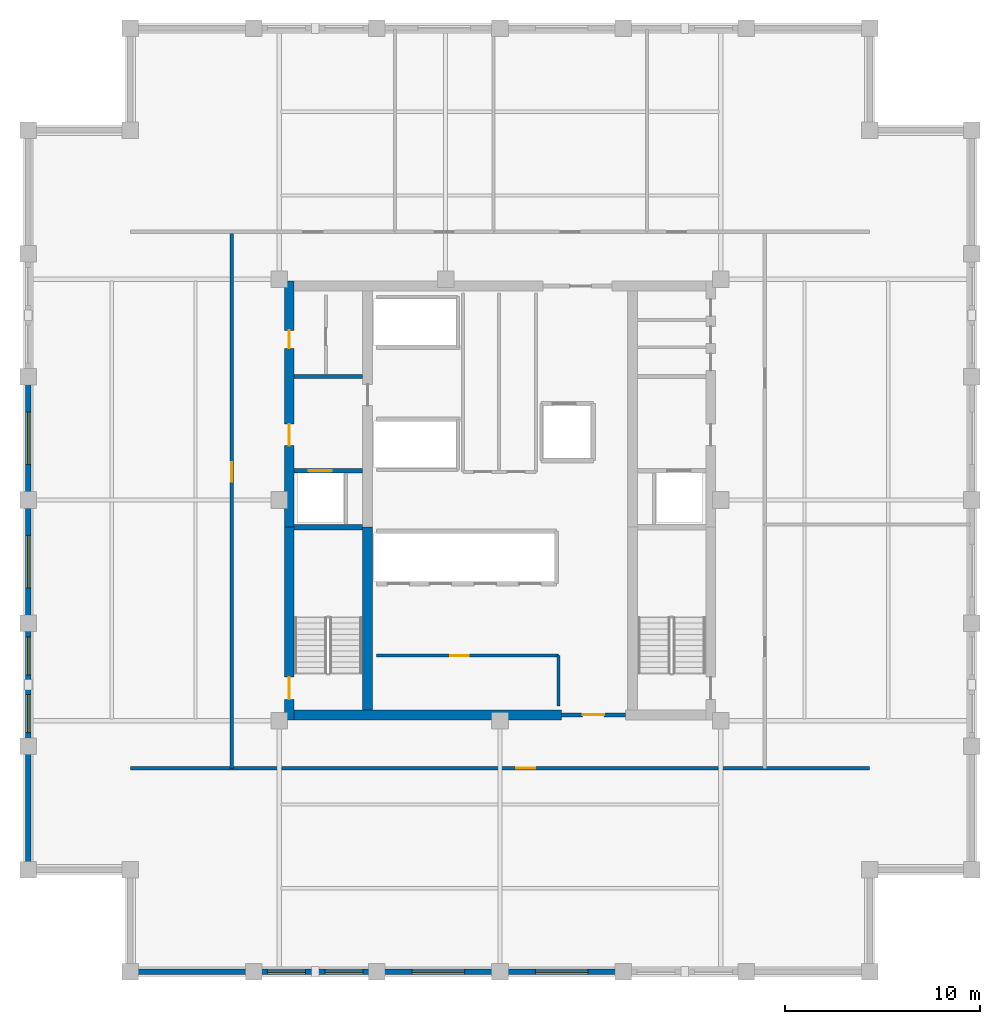
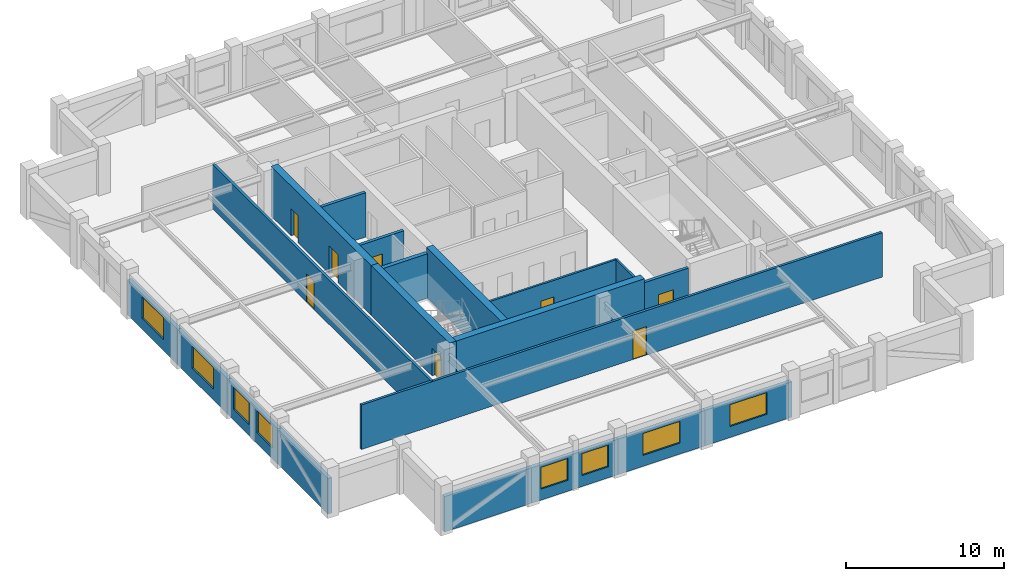
# One storey, part 2 of 6: 20 walls, 8 doors, 8 windows, 16 openings.
"""IFC4 building model written with IfcOpenShell, lengths in metres."""

from ifc_helpers import new_model, si_unit, direction, frame, frame_2d, origin, place, context, subcontext, project, spatial, rectangle, extrude, material, layer, layer_set, type_object, element, fill, save


model = new_model("IFC4")

# Units and contexts
model_context = context("Model", 3, precision=1e-05, world=origin(), true_north=direction((0.0, 1.0)))
body_context = subcontext(model_context, "Body", "Model", "MODEL_VIEW")
ifc_project = project(units=[si_unit("LENGTHUNIT", "METRE"), si_unit("AREAUNIT", "SQUARE_METRE"), si_unit("VOLUMEUNIT", "CUBIC_METRE"), si_unit("PLANEANGLEUNIT", "RADIAN"), si_unit("MASSUNIT", "GRAM", prefix="KILO")], contexts=[model_context])

# Site, building, storey
site_placement = place(None, origin())
site = spatial("IfcSite", under=ifc_project, at=site_placement, CompositionType="ELEMENT")
building_placement = place(site_placement, origin())
building = spatial("IfcBuilding", under=site, at=building_placement, Name="Nhamokura Convention Tower", CompositionType="ELEMENT")
storey_placement = place(building_placement, frame((0.0, 0.0, 248.5)))
storey = spatial("IfcBuildingStorey", under=building, at=storey_placement, Name="L61", CompositionType="ELEMENT", Elevation=248.5)

# Wall
ifc_material_1 = material(Name="Bronze-pigmented precast concrete C45/55", Category="concrete")
ifc_layer_1 = layer(ifc_material_1, 0.280029296875)
ifc_layer_set_1 = layer_set([ifc_layer_1], Name="BronzePrecastSpandrel_280")
wall_type_1 = type_object("IfcWallType", Name="BronzePrecastSpandrel_280", PredefinedType="USERDEFINED", material=ifc_layer_set_1)
wall_1_placement = place(storey_placement, frame((19.333251953125, 7.75, 0.0), z_axis=(0.0, 0.0, 1.0), x_axis=(-1.0, 0.0, 0.0)))
element("IfcWall", 1, at=wall_1_placement, inside=storey, type_object=wall_type_1, Name="L61 Braced-Bay Precast Wall SOUTH 0", ObjectType="SPANDREL_WALL", PredefinedType="USERDEFINED", context=body_context, shape_type="SweptSolid", body=[
    extrude(rectangle(XDim=6.333251953125, YDim=0.280029296875, at=frame_2d((3.16650390625, 0.0))), origin(), (0.0, 0.0, 1.0), 2.72998046875),
])

# Wall, openings, windows
wall_2_placement = place(storey_placement, frame((25.666748046875, 7.75, 0.0), z_axis=(0.0, 0.0, 1.0), x_axis=(-1.0, 0.0, 0.0)))
wall_2 = element("IfcWall", 2, at=wall_2_placement, inside=storey, type_object=wall_type_1, Name="L61 Masonry-Frame Wall SOUTH 1", ObjectType="SPANDREL_WALL", PredefinedType="USERDEFINED", context=body_context, shape_type="SweptSolid", body=[
    extrude(rectangle(XDim=6.33349609375, YDim=0.280029296875, at=frame_2d((3.166748046875, 0.0))), origin(), (0.0, 0.0, 1.0), 2.72998046875),
])
opening_1_placement = place(wall_2_placement, frame((0.708251953125, 0.0, 0.85009765625)))
opening_1 = element("IfcOpeningElement", 3, at=opening_1_placement, cuts=wall_2, Name="Opening W-08", PredefinedType="OPENING", context=body_context, shape_type="SweptSolid", body=[
    extrude(rectangle(XDim=1.949951171875, YDim=1.679931640625, at=frame_2d((0.97509765625, 0.83984375))), frame((0.0, 0.14990234375, 0.0), z_axis=(0.0, -1.0, 0.0), x_axis=(1.0, 0.0, 0.0)), (0.0, 0.0, 1.0), 0.300048828125),
])
opening_2_placement = place(wall_2_placement, frame((3.675048828125, 0.0, 0.85009765625)))
opening_2 = element("IfcOpeningElement", 4, at=opening_2_placement, cuts=wall_2, Name="Opening W-08", PredefinedType="OPENING", context=body_context, shape_type="SweptSolid", body=[
    extrude(rectangle(XDim=1.949951171875, YDim=1.679931640625, at=frame_2d((0.97509765625, 0.83984375))), frame((0.0, 0.14990234375, 0.0), z_axis=(0.0, -1.0, 0.0), x_axis=(1.0, 0.0, 0.0)), (0.0, 0.0, 1.0), 0.300048828125),
])
ifc_material_2 = material(Name="Solar-control bronze low-E double glass", Category="glass")
window_type_1 = type_object("IfcWindowType", Name="OfficeModuleWindow_Z3_1950", PartitioningType="SINGLE_PANEL", PredefinedType="WINDOW", material=ifc_material_2)
window_1_placement = place(opening_1_placement, origin())
window_1 = element("IfcWindow", 5, at=window_1_placement, inside=storey, type_object=window_type_1, Name="L61 Facade Window SOUTH 1-1", OverallHeight=1.679931640625, OverallWidth=1.949951171875, PartitioningType="SINGLE_PANEL", PredefinedType="WINDOW", context=body_context, shape_type="SweptSolid", body=[
    extrude(rectangle(XDim=1.949951171875, YDim=1.679931640625, at=frame_2d((0.97509765625, 0.83984375))), frame((0.0, 0.030029296875, 0.0), z_axis=(0.0, -1.0, 0.0), x_axis=(1.0, 0.0, 0.0)), (0.0, 0.0, 1.0), 0.06005859375),
])
fill(opening_1, window_1)
window_2_placement = place(opening_2_placement, origin())
window_2 = element("IfcWindow", 6, at=window_2_placement, inside=storey, type_object=window_type_1, Name="L61 Facade Window SOUTH 1-2", OverallHeight=1.679931640625, OverallWidth=1.949951171875, PartitioningType="SINGLE_PANEL", PredefinedType="WINDOW", context=body_context, shape_type="SweptSolid", body=[
    extrude(rectangle(XDim=1.949951171875, YDim=1.679931640625, at=frame_2d((0.97509765625, 0.83984375))), frame((0.0, 0.030029296875, 0.0), z_axis=(0.0, -1.0, 0.0), x_axis=(1.0, 0.0, 0.0)), (0.0, 0.0, 1.0), 0.06005859375),
])
fill(opening_2, window_2)

# Wall, opening, window
wall_3_placement = place(storey_placement, frame((32.0, 7.75, 0.0), z_axis=(0.0, 0.0, 1.0), x_axis=(-1.0, 0.0, 0.0)))
wall_3 = element("IfcWall", 7, at=wall_3_placement, inside=storey, type_object=wall_type_1, Name="L61 Masonry-Frame Wall SOUTH 2", ObjectType="SPANDREL_WALL", PredefinedType="USERDEFINED", context=body_context, shape_type="SweptSolid", body=[
    extrude(rectangle(XDim=6.333251953125, YDim=0.280029296875, at=frame_2d((3.16650390625, 0.0))), origin(), (0.0, 0.0, 1.0), 2.72998046875),
])
opening_3_placement = place(wall_3_placement, frame((1.816650390625, 0.0, 0.85009765625)))
opening_3 = element("IfcOpeningElement", 8, at=opening_3_placement, cuts=wall_3, Name="Opening W-07", PredefinedType="OPENING", context=body_context, shape_type="SweptSolid", body=[
    extrude(rectangle(XDim=2.699951171875, YDim=1.679931640625, at=frame_2d((1.35009765625, 0.83984375))), frame((0.0, 0.14990234375, 0.0), z_axis=(0.0, -1.0, 0.0), x_axis=(1.0, 0.0, 0.0)), (0.0, 0.0, 1.0), 0.300048828125),
])
ifc_material_3 = material(Name="Solar-control bronze low-E double glass", Category="glass")
window_type_2 = type_object("IfcWindowType", Name="OfficeModuleWindow_Z3_2700", PartitioningType="DOUBLE_PANEL_VERTICAL", PredefinedType="WINDOW", material=ifc_material_3)
window_3_placement = place(opening_3_placement, origin())
window_3 = element("IfcWindow", 9, at=window_3_placement, inside=storey, type_object=window_type_2, Name="L61 Facade Window SOUTH 2", OverallHeight=1.679931640625, OverallWidth=2.699951171875, PartitioningType="SINGLE_PANEL", PredefinedType="WINDOW", context=body_context, shape_type="SweptSolid", body=[
    extrude(rectangle(XDim=2.699951171875, YDim=1.679931640625, at=frame_2d((1.35009765625, 0.83984375))), frame((0.0, 0.030029296875, 0.0), z_axis=(0.0, -1.0, 0.0), x_axis=(1.0, 0.0, 0.0)), (0.0, 0.0, 1.0), 0.06005859375),
])
fill(opening_3, window_3)

wall_4_placement = place(storey_placement, frame((38.333251953125, 7.75, 0.0), z_axis=(0.0, 0.0, 1.0), x_axis=(-1.0, 0.0, 0.0)))
wall_4 = element("IfcWall", 10, at=wall_4_placement, inside=storey, type_object=wall_type_1, Name="L61 Masonry-Frame Wall SOUTH 3", ObjectType="SPANDREL_WALL", PredefinedType="USERDEFINED", context=body_context, shape_type="SweptSolid", body=[
    extrude(rectangle(XDim=6.333251953125, YDim=0.280029296875, at=frame_2d((3.16650390625, 0.0))), origin(), (0.0, 0.0, 1.0), 2.72998046875),
])
opening_4_placement = place(wall_4_placement, frame((1.816650390625, 0.0, 0.85009765625)))
opening_4 = element("IfcOpeningElement", 11, at=opening_4_placement, cuts=wall_4, Name="Opening W-07", PredefinedType="OPENING", context=body_context, shape_type="SweptSolid", body=[
    extrude(rectangle(XDim=2.699951171875, YDim=1.679931640625, at=frame_2d((1.35009765625, 0.83984375))), frame((0.0, 0.14990234375, 0.0), z_axis=(0.0, -1.0, 0.0), x_axis=(1.0, 0.0, 0.0)), (0.0, 0.0, 1.0), 0.300048828125),
])
window_4_placement = place(opening_4_placement, origin())
window_4 = element("IfcWindow", 12, at=window_4_placement, inside=storey, type_object=window_type_2, Name="L61 Facade Window SOUTH 3", OverallHeight=1.679931640625, OverallWidth=2.699951171875, PartitioningType="SINGLE_PANEL", PredefinedType="WINDOW", context=body_context, shape_type="SweptSolid", body=[
    extrude(rectangle(XDim=2.699951171875, YDim=1.679931640625, at=frame_2d((1.35009765625, 0.83984375))), frame((0.0, 0.030029296875, 0.0), z_axis=(0.0, -1.0, 0.0), x_axis=(1.0, 0.0, 0.0)), (0.0, 0.0, 1.0), 0.06005859375),
])
fill(opening_4, window_4)

# Wall
wall_5_placement = place(storey_placement, frame((7.75, 13.0, 0.0), z_axis=(0.0, 0.0, 1.0), x_axis=(0.0, 1.0, 0.0)))
element("IfcWall", 13, at=wall_5_placement, inside=storey, type_object=wall_type_1, Name="L61 Braced-Bay Precast Wall WEST 0", ObjectType="SPANDREL_WALL", PredefinedType="USERDEFINED", context=body_context, shape_type="SweptSolid", body=[
    extrude(rectangle(XDim=6.333251953125, YDim=0.280029296875, at=frame_2d((3.16650390625, 0.0))), origin(), (0.0, 0.0, 1.0), 2.72998046875),
])

# Wall, openings, windows
wall_6_placement = place(storey_placement, frame((7.75, 19.333251953125, 0.0), z_axis=(0.0, 0.0, 1.0), x_axis=(0.0, 1.0, 0.0)))
wall_6 = element("IfcWall", 14, at=wall_6_placement, inside=storey, type_object=wall_type_1, Name="L61 Masonry-Frame Wall WEST 1", ObjectType="SPANDREL_WALL", PredefinedType="USERDEFINED", context=body_context, shape_type="SweptSolid", body=[
    extrude(rectangle(XDim=6.33349609375, YDim=0.280029296875, at=frame_2d((3.166748046875, 0.0))), origin(), (0.0, 0.0, 1.0), 2.72998046875),
])
opening_5_placement = place(wall_6_placement, frame((0.708251953125, 0.0, 0.85009765625)))
opening_5 = element("IfcOpeningElement", 15, at=opening_5_placement, cuts=wall_6, Name="Opening W-08", PredefinedType="OPENING", context=body_context, shape_type="SweptSolid", body=[
    extrude(rectangle(XDim=1.949951171875, YDim=1.679931640625, at=frame_2d((0.97509765625, 0.83984375))), frame((0.0, 0.14990234375, 0.0), z_axis=(0.0, -1.0, 0.0), x_axis=(1.0, 0.0, 0.0)), (0.0, 0.0, 1.0), 0.300048828125),
])
opening_6_placement = place(wall_6_placement, frame((3.675048828125, 0.0, 0.85009765625)))
opening_6 = element("IfcOpeningElement", 16, at=opening_6_placement, cuts=wall_6, Name="Opening W-08", PredefinedType="OPENING", context=body_context, shape_type="SweptSolid", body=[
    extrude(rectangle(XDim=1.949951171875, YDim=1.679931640625, at=frame_2d((0.97509765625, 0.83984375))), frame((0.0, 0.14990234375, 0.0), z_axis=(0.0, -1.0, 0.0), x_axis=(1.0, 0.0, 0.0)), (0.0, 0.0, 1.0), 0.300048828125),
])
window_5_placement = place(opening_5_placement, origin())
window_5 = element("IfcWindow", 17, at=window_5_placement, inside=storey, type_object=window_type_1, Name="L61 Facade Window WEST 1-1", OverallHeight=1.679931640625, OverallWidth=1.949951171875, PartitioningType="SINGLE_PANEL", PredefinedType="WINDOW", context=body_context, shape_type="SweptSolid", body=[
    extrude(rectangle(XDim=1.949951171875, YDim=1.679931640625, at=frame_2d((0.97509765625, 0.83984375))), frame((0.0, 0.030029296875, 0.0), z_axis=(0.0, -1.0, 0.0), x_axis=(1.0, 0.0, 0.0)), (0.0, 0.0, 1.0), 0.06005859375),
])
fill(opening_5, window_5)
window_6_placement = place(opening_6_placement, origin())
window_6 = element("IfcWindow", 18, at=window_6_placement, inside=storey, type_object=window_type_1, Name="L61 Facade Window WEST 1-2", OverallHeight=1.679931640625, OverallWidth=1.949951171875, PartitioningType="SINGLE_PANEL", PredefinedType="WINDOW", context=body_context, shape_type="SweptSolid", body=[
    extrude(rectangle(XDim=1.949951171875, YDim=1.679931640625, at=frame_2d((0.97509765625, 0.83984375))), frame((0.0, 0.030029296875, 0.0), z_axis=(0.0, -1.0, 0.0), x_axis=(1.0, 0.0, 0.0)), (0.0, 0.0, 1.0), 0.06005859375),
])
fill(opening_6, window_6)

# Wall, opening, window
wall_7_placement = place(storey_placement, frame((7.75, 25.666748046875, 0.0), z_axis=(0.0, 0.0, 1.0), x_axis=(0.0, 1.0, 0.0)))
wall_7 = element("IfcWall", 19, at=wall_7_placement, inside=storey, type_object=wall_type_1, Name="L61 Masonry-Frame Wall WEST 2", ObjectType="SPANDREL_WALL", PredefinedType="USERDEFINED", context=body_context, shape_type="SweptSolid", body=[
    extrude(rectangle(XDim=6.333251953125, YDim=0.280029296875, at=frame_2d((3.16650390625, 0.0))), origin(), (0.0, 0.0, 1.0), 2.72998046875),
])
opening_7_placement = place(wall_7_placement, frame((1.816650390625, 0.0, 0.85009765625)))
opening_7 = element("IfcOpeningElement", 20, at=opening_7_placement, cuts=wall_7, Name="Opening W-07", PredefinedType="OPENING", context=body_context, shape_type="SweptSolid", body=[
    extrude(rectangle(XDim=2.699951171875, YDim=1.679931640625, at=frame_2d((1.35009765625, 0.83984375))), frame((0.0, 0.14990234375, 0.0), z_axis=(0.0, -1.0, 0.0), x_axis=(1.0, 0.0, 0.0)), (0.0, 0.0, 1.0), 0.300048828125),
])
window_7_placement = place(opening_7_placement, origin())
window_7 = element("IfcWindow", 21, at=window_7_placement, inside=storey, type_object=window_type_2, Name="L61 Facade Window WEST 2", OverallHeight=1.679931640625, OverallWidth=2.699951171875, PartitioningType="SINGLE_PANEL", PredefinedType="WINDOW", context=body_context, shape_type="SweptSolid", body=[
    extrude(rectangle(XDim=2.699951171875, YDim=1.679931640625, at=frame_2d((1.35009765625, 0.83984375))), frame((0.0, 0.030029296875, 0.0), z_axis=(0.0, -1.0, 0.0), x_axis=(1.0, 0.0, 0.0)), (0.0, 0.0, 1.0), 0.06005859375),
])
fill(opening_7, window_7)

wall_8_placement = place(storey_placement, frame((7.75, 32.0, 0.0), z_axis=(0.0, 0.0, 1.0), x_axis=(0.0, 1.0, 0.0)))
wall_8 = element("IfcWall", 22, at=wall_8_placement, inside=storey, type_object=wall_type_1, Name="L61 Masonry-Frame Wall WEST 3", ObjectType="SPANDREL_WALL", PredefinedType="USERDEFINED", context=body_context, shape_type="SweptSolid", body=[
    extrude(rectangle(XDim=6.333251953125, YDim=0.280029296875, at=frame_2d((3.16650390625, 0.0))), origin(), (0.0, 0.0, 1.0), 2.72998046875),
])
opening_8_placement = place(wall_8_placement, frame((1.816650390625, 0.0, 0.85009765625)))
opening_8 = element("IfcOpeningElement", 23, at=opening_8_placement, cuts=wall_8, Name="Opening W-07", PredefinedType="OPENING", context=body_context, shape_type="SweptSolid", body=[
    extrude(rectangle(XDim=2.699951171875, YDim=1.679931640625, at=frame_2d((1.35009765625, 0.83984375))), frame((0.0, 0.14990234375, 0.0), z_axis=(0.0, -1.0, 0.0), x_axis=(1.0, 0.0, 0.0)), (0.0, 0.0, 1.0), 0.300048828125),
])
window_8_placement = place(opening_8_placement, origin())
window_8 = element("IfcWindow", 24, at=window_8_placement, inside=storey, type_object=window_type_2, Name="L61 Facade Window WEST 3", OverallHeight=1.679931640625, OverallWidth=2.699951171875, PartitioningType="SINGLE_PANEL", PredefinedType="WINDOW", context=body_context, shape_type="SweptSolid", body=[
    extrude(rectangle(XDim=2.699951171875, YDim=1.679931640625, at=frame_2d((1.35009765625, 0.83984375))), frame((0.0, 0.030029296875, 0.0), z_axis=(0.0, -1.0, 0.0), x_axis=(1.0, 0.0, 0.0)), (0.0, 0.0, 1.0), 0.06005859375),
])
fill(opening_8, window_8)

# Wall, opening, door
ifc_material_4 = material(Name="Concrete C60/75", Category="concrete")
ifc_layer_2 = layer(ifc_material_4, 0.5)
ifc_layer_set_2 = layer_set([ifc_layer_2], Name="CoreShearWall_500")
wall_type_2 = type_object("IfcWallType", Name="CoreShearWall_500", PredefinedType="SHEAR", material=ifc_layer_set_2)
wall_9_placement = place(storey_placement, frame((21.159912109375, 20.699951171875, 0.0), z_axis=(0.0, 0.0, 1.0), x_axis=(0.0, 1.0, 0.0)))
wall_9 = element("IfcWall", 25, at=wall_9_placement, inside=storey, type_object=wall_type_2, Name="L61 Core Shear Wall CW-WS", PredefinedType="SHEAR", context=body_context, shape_type="SweptSolid", body=[
    extrude(rectangle(XDim=9.900146484375, YDim=0.5, at=frame_2d((4.9501953125, 0.0))), origin(), (0.0, 0.0, 1.0), 3.85009765625),
])
opening_9_placement = place(wall_9_placement, frame((1.050048828125, 0.0, 0.0)))
opening_9 = element("IfcOpeningElement", 26, at=opening_9_placement, cuts=wall_9, Name="Opening D-04", PredefinedType="OPENING", context=body_context, shape_type="SweptSolid", body=[
    extrude(rectangle(XDim=1.14990234375, YDim=2.14990234375, at=frame_2d((0.574951171875, 1.074951171875))), frame((0.0, 0.260009765625, 0.0), z_axis=(0.0, -1.0, 0.0), x_axis=(1.0, 0.0, 0.0)), (0.0, 0.0, 1.0), 0.52001953125),
])
ifc_material_5 = material(Name="Fire-rated steel door", Category="steel")
door_type_1 = type_object("IfcDoorType", Name="StairSmokeDoor_1150", OperationType="NOTDEFINED", PredefinedType="DOOR", material=ifc_material_5)
door_1_placement = place(opening_9_placement, origin())
door_1 = element("IfcDoor", 27, at=door_1_placement, inside=storey, type_object=door_type_1, Name="L61 Core Door INT-L61-D-ST01", OperationType="SINGLE_SWING_LEFT", OverallHeight=2.14990234375, OverallWidth=1.14990234375, PredefinedType="DOOR", context=body_context, shape_type="SweptSolid", body=[
    extrude(rectangle(XDim=1.14990234375, YDim=2.14990234375, at=frame_2d((0.574951171875, 1.074951171875))), frame((0.0, 0.02490234375, 0.0), z_axis=(0.0, -1.0, 0.0), x_axis=(1.0, 0.0, 0.0)), (0.0, 0.0, 1.0), 0.050048828125),
])
fill(opening_9, door_1)

# Wall, openings, doors
wall_10_placement = place(storey_placement, frame((21.159912109375, 30.60009765625, 0.0), z_axis=(0.0, 0.0, 1.0), x_axis=(0.0, 1.0, 0.0)))
wall_10 = element("IfcWall", 28, at=wall_10_placement, inside=storey, type_object=wall_type_2, Name="L61 Core Shear Wall CW-WN", PredefinedType="SHEAR", context=body_context, shape_type="SweptSolid", body=[
    extrude(rectangle(XDim=12.64990234375, YDim=0.5, at=frame_2d((6.324951171875, 0.0))), origin(), (0.0, 0.0, 1.0), 3.85009765625),
])
opening_10_placement = place(wall_10_placement, frame((4.199951171875, 0.0, 0.0)))
opening_10 = element("IfcOpeningElement", 29, at=opening_10_placement, cuts=wall_10, Name="Opening D-05", PredefinedType="OPENING", context=body_context, shape_type="SweptSolid", body=[
    extrude(rectangle(XDim=1.10009765625, YDim=2.14990234375, at=frame_2d((0.550048828125, 1.074951171875))), frame((0.0, 0.260009765625, 0.0), z_axis=(0.0, -1.0, 0.0), x_axis=(1.0, 0.0, 0.0)), (0.0, 0.0, 1.0), 0.52001953125),
])
opening_11_placement = place(wall_10_placement, frame((9.199951171875, 0.0, 0.0)))
opening_11 = element("IfcOpeningElement", 30, at=opening_11_placement, cuts=wall_10, Name="Opening D-10", PredefinedType="OPENING", context=body_context, shape_type="SweptSolid", body=[
    extrude(rectangle(XDim=0.919921875, YDim=2.10009765625, at=frame_2d((0.4599609375, 1.050048828125))), frame((0.0, 0.260009765625, 0.0), z_axis=(0.0, -1.0, 0.0), x_axis=(1.0, 0.0, 0.0)), (0.0, 0.0, 1.0), 0.52001953125),
])
ifc_material_6 = material(Name="Solid oak hardwood", Category="wood")
door_type_2 = type_object("IfcDoorType", Name="AccessibleWCDoor_920", OperationType="NOTDEFINED", PredefinedType="DOOR", material=ifc_material_6)
door_2_placement = place(opening_11_placement, origin())
door_2 = element("IfcDoor", 31, at=door_2_placement, inside=storey, type_object=door_type_2, Name="L61 Core Door INT-L61-D-AWCW", OperationType="SINGLE_SWING_RIGHT", OverallHeight=2.10009765625, OverallWidth=0.919921875, PredefinedType="DOOR", context=body_context, shape_type="SweptSolid", body=[
    extrude(rectangle(XDim=0.919921875, YDim=2.10009765625, at=frame_2d((0.4599609375, 1.050048828125))), frame((0.0, 0.02490234375, 0.0), z_axis=(0.0, -1.0, 0.0), x_axis=(1.0, 0.0, 0.0)), (0.0, 0.0, 1.0), 0.050048828125),
])
fill(opening_11, door_2)
ifc_material_7 = material(Name="Fire-rated steel door", Category="steel")
door_type_3 = type_object("IfcDoorType", Name="FireLobbyDoor_1100", OperationType="NOTDEFINED", PredefinedType="DOOR", material=ifc_material_7)
door_3_placement = place(opening_10_placement, origin())
door_3 = element("IfcDoor", 32, at=door_3_placement, inside=storey, type_object=door_type_3, Name="L61 Core Door INT-L61-D-FFLW", OperationType="SINGLE_SWING_RIGHT", OverallHeight=2.14990234375, OverallWidth=1.10009765625, PredefinedType="DOOR", context=body_context, shape_type="SweptSolid", body=[
    extrude(rectangle(XDim=1.10009765625, YDim=2.14990234375, at=frame_2d((0.550048828125, 1.074951171875))), frame((0.0, 0.02490234375, 0.0), z_axis=(0.0, -1.0, 0.0), x_axis=(1.0, 0.0, 0.0)), (0.0, 0.0, 1.0), 0.050048828125),
])
fill(opening_10, door_3)

# Walls
wall_11_placement = place(storey_placement, frame((21.409912109375, 20.949951171875, 0.0), z_axis=(0.0, 0.0, 1.0), x_axis=(1.0, 0.0, 0.0)))
element("IfcWall", 33, at=wall_11_placement, inside=storey, type_object=wall_type_2, Name="L61 Core Shear Wall CW-S1", PredefinedType="SHEAR", context=body_context, shape_type="SweptSolid", body=[
    extrude(rectangle(XDim=13.739990234375, YDim=0.5, at=frame_2d((6.8701171875, 0.0))), origin(), (0.0, 0.0, 1.0), 3.85009765625),
])
wall_12_placement = place(storey_placement, frame((25.18994140625, 21.199951171875, 0.0), z_axis=(0.0, 0.0, 1.0), x_axis=(0.0, 1.0, 0.0)))
element("IfcWall", 34, at=wall_12_placement, inside=storey, type_object=wall_type_2, Name="L61 Core Shear Wall CW-IWS", PredefinedType="SHEAR", context=body_context, shape_type="SweptSolid", body=[
    extrude(rectangle(XDim=9.400146484375, YDim=0.5, at=frame_2d((4.7001953125, 0.0))), origin(), (0.0, 0.0, 1.0), 3.85009765625),
])

# Wall, opening, door
ifc_material_8 = material(Name="Fire-rated gypsum and masonry partition", Category="masonry")
ifc_layer_3 = layer(ifc_material_8, 0.179931640625)
ifc_layer_set_3 = layer_set([ifc_layer_3], Name="CorridorRatedWall_180")
wall_type_3 = type_object("IfcWallType", Name="CorridorRatedWall_180", PredefinedType="STANDARD", material=ifc_layer_set_3)
wall_13_placement = place(storey_placement, frame((13.0, 18.199951171875, 0.0), z_axis=(0.0, 0.0, 1.0), x_axis=(1.0, 0.0, 0.0)))
wall_13 = element("IfcWall", 35, at=wall_13_placement, inside=storey, type_object=wall_type_3, Name="L61 Wall INT-L61-CW-S00", PredefinedType="STANDARD", context=body_context, shape_type="SweptSolid", body=[
    extrude(rectangle(XDim=38.0, YDim=0.179931640625, at=frame_2d((19.0, 0.0))), origin(), (0.0, 0.0, 1.0), 3.429931640625),
])
opening_12_placement = place(wall_13_placement, frame((19.824951171875, 0.0, 0.0)))
opening_12 = element("IfcOpeningElement", 36, at=opening_12_placement, cuts=wall_13, Name="Opening D-08", PredefinedType="OPENING", context=body_context, shape_type="SweptSolid", body=[
    extrude(rectangle(XDim=0.97998046875, YDim=2.199951171875, at=frame_2d((0.489990234375, 1.10009765625))), frame((0.0, 0.099853515625, 0.0), z_axis=(0.0, -1.0, 0.0), x_axis=(1.0, 0.0, 0.0)), (0.0, 0.0, 1.0), 0.199951171875),
])
ifc_material_9 = material(Name="Solid oak hardwood", Category="wood")
door_type_4 = type_object("IfcDoorType", Name="OfficeEntryDoor_980", OperationType="NOTDEFINED", PredefinedType="DOOR", material=ifc_material_9)
door_4_placement = place(opening_12_placement, origin())
door_4 = element("IfcDoor", 37, at=door_4_placement, inside=storey, type_object=door_type_4, Name="L61 Fitness Gym S01 Door", OperationType="SINGLE_SWING_LEFT", OverallHeight=2.199951171875, OverallWidth=0.97998046875, PredefinedType="DOOR", context=body_context, shape_type="SweptSolid", body=[
    extrude(rectangle(XDim=0.97998046875, YDim=2.199951171875, at=frame_2d((0.489990234375, 1.10009765625))), frame((0.0, 0.02490234375, 0.0), z_axis=(0.0, -1.0, 0.0), x_axis=(1.0, 0.0, 0.0)), (0.0, 0.0, 1.0), 0.050048828125),
])
fill(opening_12, door_4)

wall_14_placement = place(storey_placement, frame((18.199951171875, 18.199951171875, 0.0), z_axis=(0.0, 0.0, 1.0), x_axis=(0.0, 1.0, 0.0)))
wall_14 = element("IfcWall", 38, at=wall_14_placement, inside=storey, type_object=wall_type_3, Name="L61 Wall INT-L61-CW-W00", PredefinedType="STANDARD", context=body_context, shape_type="SweptSolid", body=[
    extrude(rectangle(XDim=27.60009765625, YDim=0.179931640625, at=frame_2d((13.800048828125, 0.0))), origin(), (0.0, 0.0, 1.0), 3.429931640625),
])
opening_13_placement = place(wall_14_placement, frame((14.75, 0.0, 0.0)))
opening_13 = element("IfcOpeningElement", 39, at=opening_13_placement, cuts=wall_14, Name="Opening D-08", PredefinedType="OPENING", context=body_context, shape_type="SweptSolid", body=[
    extrude(rectangle(XDim=0.97998046875, YDim=2.199951171875, at=frame_2d((0.489990234375, 1.10009765625))), frame((0.0, 0.099853515625, 0.0), z_axis=(0.0, -1.0, 0.0), x_axis=(1.0, 0.0, 0.0)), (0.0, 0.0, 1.0), 0.199951171875),
])
door_5_placement = place(opening_13_placement, origin())
door_5 = element("IfcDoor", 40, at=door_5_placement, inside=storey, type_object=door_type_4, Name="L61 Changing Room W01 Door", OperationType="SINGLE_SWING_LEFT", OverallHeight=2.199951171875, OverallWidth=0.97998046875, PredefinedType="DOOR", context=body_context, shape_type="SweptSolid", body=[
    extrude(rectangle(XDim=0.97998046875, YDim=2.199951171875, at=frame_2d((0.489990234375, 1.10009765625))), frame((0.0, 0.02490234375, 0.0), z_axis=(0.0, -1.0, 0.0), x_axis=(1.0, 0.0, 0.0)), (0.0, 0.0, 1.0), 0.050048828125),
])
fill(opening_13, door_5)

ifc_material_10 = material(Name="Autoclaved concrete blockwork", Category="masonry")
ifc_layer_4 = layer(ifc_material_10, 0.219970703125)
ifc_layer_set_4 = layer_set([ifc_layer_4], Name="FireLobbyWall_220")
wall_type_4 = type_object("IfcWallType", Name="FireLobbyWall_220", PredefinedType="STANDARD", material=ifc_layer_set_4)
wall_15_placement = place(storey_placement, frame((21.409912109375, 33.5, 0.0), z_axis=(0.0, 0.0, 1.0), x_axis=(1.0, 0.0, 0.0)))
wall_15 = element("IfcWall", 41, at=wall_15_placement, inside=storey, type_object=wall_type_4, Name="L61 Wall INT-L61-FFW-S", PredefinedType="STANDARD", context=body_context, shape_type="SweptSolid", body=[
    extrude(rectangle(XDim=3.530029296875, YDim=0.219970703125, at=frame_2d((1.76513671875, 0.0))), origin(), (0.0, 0.0, 1.0), 3.429931640625),
])
opening_14_placement = place(wall_15_placement, frame((0.75, 0.0, 0.0)))
opening_14 = element("IfcOpeningElement", 42, at=opening_14_placement, cuts=wall_15, Name="Opening LD-02", PredefinedType="OPENING", context=body_context, shape_type="SweptSolid", body=[
    extrude(rectangle(XDim=1.199951171875, YDim=2.199951171875, at=frame_2d((0.60009765625, 1.10009765625))), frame((0.0, 0.119873046875, 0.0), z_axis=(0.0, -1.0, 0.0), x_axis=(1.0, 0.0, 0.0)), (0.0, 0.0, 1.0), 0.239990234375),
])
ifc_material_11 = material(Name="Anodised bronze stainless steel", Category="steel")
door_type_5 = type_object("IfcDoorType", Name="LiftLandingDoor_FireService", OperationType="DOUBLE_DOOR_SLIDING", PredefinedType="DOOR", material=ifc_material_11)
door_6_placement = place(opening_14_placement, origin())
door_6 = element("IfcDoor", 43, at=door_6_placement, inside=storey, type_object=door_type_5, Name="L61 Firefighting Lift LF-01 Door", OperationType="DOUBLE_DOOR_SLIDING", OverallHeight=2.199951171875, OverallWidth=1.199951171875, PredefinedType="DOOR", context=body_context, shape_type="SweptSolid", body=[
    extrude(rectangle(XDim=1.199951171875, YDim=2.199951171875, at=frame_2d((0.60009765625, 1.10009765625))), frame((0.0, 0.02490234375, 0.0), z_axis=(0.0, -1.0, 0.0), x_axis=(1.0, 0.0, 0.0)), (0.0, 0.0, 1.0), 0.050048828125),
])
fill(opening_14, door_6)

# Wall
wall_16_placement = place(storey_placement, frame((21.409912109375, 38.35009765625, 0.0), z_axis=(0.0, 0.0, 1.0), x_axis=(1.0, 0.0, 0.0)))
element("IfcWall", 44, at=wall_16_placement, inside=storey, type_object=wall_type_4, Name="L61 Wall INT-L61-FFW-N", PredefinedType="STANDARD", context=body_context, shape_type="SweptSolid", body=[
    extrude(rectangle(XDim=3.530029296875, YDim=0.219970703125, at=frame_2d((1.76513671875, 0.0))), origin(), (0.0, 0.0, 1.0), 3.429931640625),
])

# Wall, opening, door
wall_17_placement = place(storey_placement, frame((35.14990234375, 20.949951171875, 0.0), z_axis=(0.0, 0.0, 1.0), x_axis=(1.0, 0.0, 0.0)))
wall_17 = element("IfcWall", 45, at=wall_17_placement, inside=storey, type_object=wall_type_4, Name="L61 Wall INT-L61-SPORT-S", PredefinedType="STANDARD", context=body_context, shape_type="SweptSolid", body=[
    extrude(rectangle(XDim=3.300048828125, YDim=0.219970703125, at=frame_2d((1.64990234375, 0.0))), origin(), (0.0, 0.0, 1.0), 3.429931640625),
])
opening_15_placement = place(wall_17_placement, frame((1.10009765625, 0.0, 0.0)))
opening_15 = element("IfcOpeningElement", 46, at=opening_15_placement, cuts=wall_17, Name="Opening D-05", PredefinedType="OPENING", context=body_context, shape_type="SweptSolid", body=[
    extrude(rectangle(XDim=1.10009765625, YDim=2.14990234375, at=frame_2d((0.550048828125, 1.074951171875))), frame((0.0, 0.119873046875, 0.0), z_axis=(0.0, -1.0, 0.0), x_axis=(1.0, 0.0, 0.0)), (0.0, 0.0, 1.0), 0.239990234375),
])
door_7_placement = place(opening_15_placement, origin())
door_7 = element("IfcDoor", 47, at=door_7_placement, inside=storey, type_object=door_type_3, Name="L61 South Core Lobby Portal Door", OperationType="SINGLE_SWING_LEFT", OverallHeight=2.14990234375, OverallWidth=1.10009765625, PredefinedType="DOOR", context=body_context, shape_type="SweptSolid", body=[
    extrude(rectangle(XDim=1.10009765625, YDim=2.14990234375, at=frame_2d((0.550048828125, 1.074951171875))), frame((0.0, 0.02490234375, 0.0), z_axis=(0.0, -1.0, 0.0), x_axis=(1.0, 0.0, 0.0)), (0.0, 0.0, 1.0), 0.050048828125),
])
fill(opening_15, door_7)

ifc_material_12 = material(Name="Acoustic gypsum stud partition", Category="masonry")
ifc_layer_5 = layer(ifc_material_12, 0.14990234375)
ifc_layer_set_5 = layer_set([ifc_layer_5], Name="InteriorPartition_150")
wall_type_5 = type_object("IfcWallType", Name="InteriorPartition_150", PredefinedType="STANDARD", material=ifc_layer_set_5)
wall_18_placement = place(storey_placement, frame((25.64990234375, 24.0, 0.0), z_axis=(0.0, 0.0, 1.0), x_axis=(1.0, 0.0, 0.0)))
wall_18 = element("IfcWall", 48, at=wall_18_placement, inside=storey, type_object=wall_type_5, Name="L61 Wall INT-L61-B1R-N", PredefinedType="STANDARD", context=body_context, shape_type="SweptSolid", body=[
    extrude(rectangle(XDim=9.35009765625, YDim=0.14990234375, at=frame_2d((4.675048828125, 0.0))), origin(), (0.0, 0.0, 1.0), 3.429931640625),
])
opening_16_placement = place(wall_18_placement, frame((3.800048828125, 0.0, 0.0)))
opening_16 = element("IfcOpeningElement", 49, at=opening_16_placement, cuts=wall_18, Name="Opening D-09", PredefinedType="OPENING", context=body_context, shape_type="SweptSolid", body=[
    extrude(rectangle(XDim=0.949951171875, YDim=2.14990234375, at=frame_2d((0.47509765625, 1.074951171875))), frame((0.0, 0.0849609375, 0.0), z_axis=(0.0, -1.0, 0.0), x_axis=(1.0, 0.0, 0.0)), (0.0, 0.0, 1.0), 0.169921875),
])
ifc_material_13 = material(Name="Solid oak hardwood", Category="wood")
door_type_6 = type_object("IfcDoorType", Name="MeetingRoomDoor_950", OperationType="NOTDEFINED", PredefinedType="DOOR", material=ifc_material_13)
door_8_placement = place(opening_16_placement, origin())
door_8 = element("IfcDoor", 50, at=door_8_placement, inside=storey, type_object=door_type_6, Name="L61 Reclaimed Briefing Room Door", OperationType="SINGLE_SWING_RIGHT", OverallHeight=2.14990234375, OverallWidth=0.949951171875, PredefinedType="DOOR", context=body_context, shape_type="SweptSolid", body=[
    extrude(rectangle(XDim=0.949951171875, YDim=2.14990234375, at=frame_2d((0.47509765625, 1.074951171875))), frame((0.0, 0.02490234375, 0.0), z_axis=(0.0, -1.0, 0.0), x_axis=(1.0, 0.0, 0.0)), (0.0, 0.0, 1.0), 0.050048828125),
])
fill(opening_16, door_8)

# Walls
wall_19_placement = place(storey_placement, frame((35.0, 21.39990234375, 0.0), z_axis=(0.0, 0.0, 1.0), x_axis=(0.0, 1.0, 0.0)))
element("IfcWall", 51, at=wall_19_placement, inside=storey, type_object=wall_type_5, Name="L61 Wall INT-L61-B1R-E", PredefinedType="STANDARD", context=body_context, shape_type="SweptSolid", body=[
    extrude(rectangle(XDim=2.60009765625, YDim=0.14990234375, at=frame_2d((1.300048828125, 0.0))), origin(), (0.0, 0.0, 1.0), 3.429931640625),
])
ifc_material_14 = material(Name="Concrete C50/60", Category="concrete")
ifc_layer_6 = layer(ifc_material_14, 0.300048828125)
ifc_layer_set_6 = layer_set([ifc_layer_6], Name="ShaftEnclosureWall_300")
wall_type_6 = type_object("IfcWallType", Name="ShaftEnclosureWall_300", PredefinedType="SHEAR", material=ifc_layer_set_6)
wall_20_placement = place(storey_placement, frame((21.409912109375, 30.60009765625, 0.0), z_axis=(0.0, 0.0, 1.0), x_axis=(1.0, 0.0, 0.0)))
element("IfcWall", 52, at=wall_20_placement, inside=storey, type_object=wall_type_6, Name="L61 Wall INT-L61-ST01-N", PredefinedType="SHEAR", context=body_context, shape_type="SweptSolid", body=[
    extrude(rectangle(XDim=3.530029296875, YDim=0.300048828125, at=frame_2d((1.76513671875, 0.0))), origin(), (0.0, 0.0, 1.0), 3.429931640625),
])

save(model, "model.ifc")
